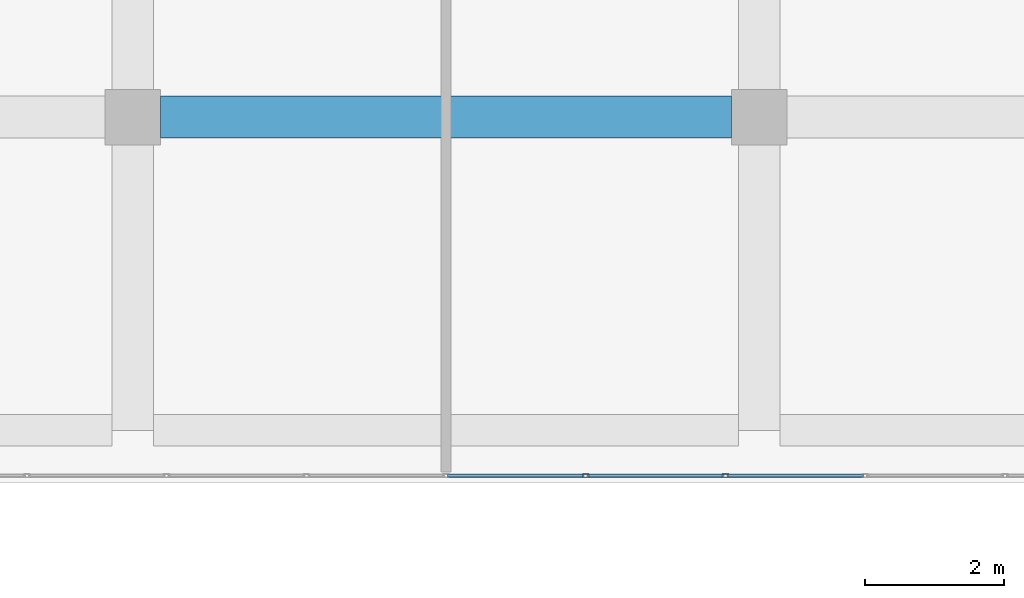
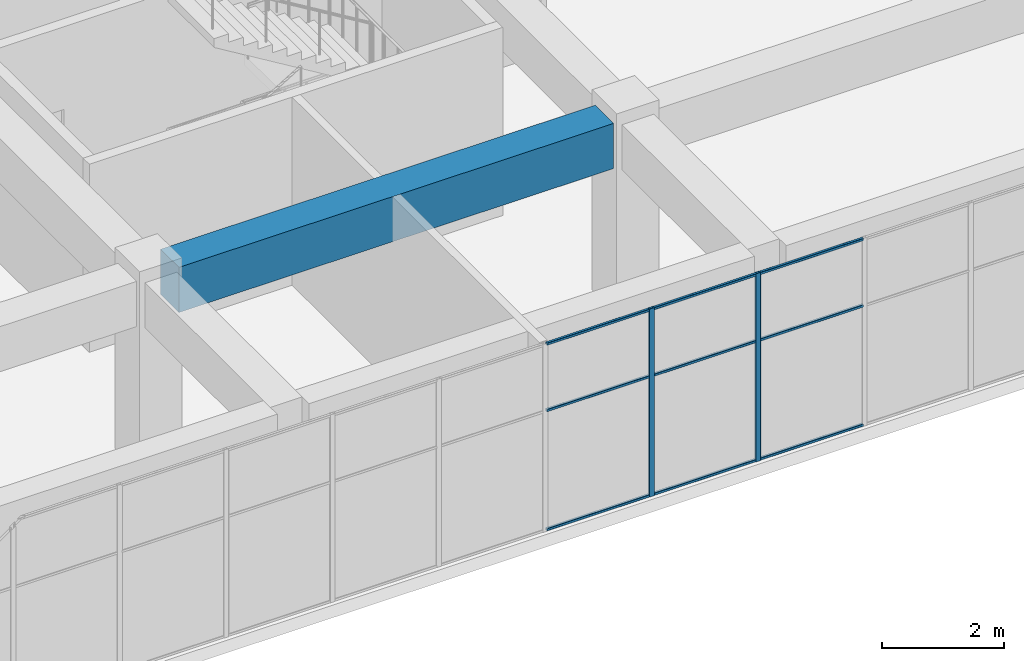
# One storey, part 19 of 65: 11 members, 1 beam, 1 element without a shape of its own.
"""IFC4 building model written with IfcOpenShell, lengths in metres."""

from ifc_helpers import new_model, si_unit, direction, frame, origin, origin_2d, place, context, subcontext, project, spatial, rectangle, hollow_rectangle, extrude, material, layer, layer_set, material_profile, profile_set, type_object, element, aggregate, save


model = new_model("IFC4")

# Units and contexts
model_context = context("Model", 3, precision=1e-05, world=origin(), true_north=direction((0.0, 1.0)))
body_context = subcontext(model_context, "Body", "Model", "MODEL_VIEW")
ifc_project = project(units=[si_unit("LENGTHUNIT", "METRE"), si_unit("AREAUNIT", "SQUARE_METRE"), si_unit("VOLUMEUNIT", "CUBIC_METRE"), si_unit("PLANEANGLEUNIT", "RADIAN"), si_unit("MASSUNIT", "GRAM", prefix="KILO")], contexts=[model_context])

# Site, building, storey
site_placement = place(None, origin())
site = spatial("IfcSite", under=ifc_project, at=site_placement, CompositionType="ELEMENT")
building_placement = place(site_placement, origin())
building = spatial("IfcBuilding", under=site, at=building_placement, Name="Tuart Plaza Theatre", CompositionType="ELEMENT")
storey_placement = place(building_placement, frame((0.0, 0.0, 9.5)))
storey = spatial("IfcBuildingStorey", under=building, at=storey_placement, Name="L02", CompositionType="ELEMENT", Elevation=9.5)

# Beam
ifc_material_1 = material(Name="Concrete N40 (40 MPa)", Category="concrete")
ifc_material_profile_1 = material_profile(ifc_material_1, rectangle(XDim=0.60009765625, YDim=0.89990234375, at=origin_2d()), Name="BEAM 600x900 Concrete N40 (40 MPa)")
ifc_profile_set_1 = profile_set([ifc_material_profile_1], Name="Concrete N40 (40 MPa)")
beam_type = type_object("IfcBeamType", Name="BEAM 600x900 Concrete N40 (40 MPa)", PredefinedType="BEAM", material=ifc_profile_set_1)
beam_placement = place(storey_placement, frame((132.39990234375, 56.0, 3.300048828125), z_axis=(1.0, 0.0, 0.0), x_axis=(0.0, 1.0, 0.0)))
element("IfcBeam", 1, at=beam_placement, inside=storey, type_object=beam_type, Name="RB184", PredefinedType="BEAM", context=body_context, shape_type="SweptSolid", body=[
    extrude(rectangle(XDim=0.60009765625, YDim=0.89990234375, at=origin_2d()), origin(), (0.0, 0.0, 1.0), 8.2001953125),
])

# Curtain wall, members
ifc_material_2 = material(Name="Aluminium and glass", Category="aluminium")
ifc_layer = layer(ifc_material_2, 0.10009765625)
ifc_layer_set = layer_set([ifc_layer], Name="CURTAIN WALL 2000 module")
curtain_wall_type = type_object("IfcCurtainWallType", Name="CURTAIN WALL 2000 module", PredefinedType="NOTDEFINED", material=ifc_layer_set)
curtain_wall_placement = place(storey_placement, origin())
curtain_wall = element("IfcCurtainWall", 2, at=curtain_wall_placement, inside=storey, type_object=curtain_wall_type, Name="CW68", PredefinedType="NOTDEFINED")
ifc_material_3 = material(Name="Aluminium 6063-T5", Category="aluminium")
ifc_material_profile_2 = material_profile(ifc_material_3, hollow_rectangle(XDim=0.050048828125, YDim=0.10009765625, WallThickness=0.00390625, InnerFilletRadius=0.00390625, OuterFilletRadius=0.008056640625, at=origin_2d()), Name="RHS 100x50x4")
ifc_profile_set_2 = profile_set([ifc_material_profile_2], Name="Aluminium 6063-T5")
member_type_1 = type_object("IfcMemberType", Name="MULLION RHS 100x50x4", PredefinedType="MULLION", material=ifc_profile_set_2)
member_1_placement = place(storey_placement, frame((138.507080078125, 50.85009765625, 0.0), z_axis=(0.0, 0.0, 1.0), x_axis=(0.0, 1.0, 0.0)))
member_1 = element("IfcMember", 3, at=member_1_placement, type_object=member_type_1, Name="CW68 mullion 9", PredefinedType="MULLION", context=body_context, shape_type="SweptSolid", body=[
    extrude(hollow_rectangle(XDim=0.050048828125, YDim=0.10009765625, WallThickness=0.00390625, InnerFilletRadius=0.00390625, OuterFilletRadius=0.008056640625, at=origin_2d()), origin(), (0.0, 0.0, 1.0), 3.75),
])
member_2_placement = place(storey_placement, frame((140.514404296875, 50.85009765625, 0.0), z_axis=(0.0, 0.0, 1.0), x_axis=(0.0, 1.0, 0.0)))
member_2 = element("IfcMember", 4, at=member_2_placement, type_object=member_type_1, Name="CW68 mullion 10", PredefinedType="MULLION", context=body_context, shape_type="SweptSolid", body=[
    extrude(hollow_rectangle(XDim=0.050048828125, YDim=0.10009765625, WallThickness=0.00390625, InnerFilletRadius=0.00390625, OuterFilletRadius=0.008056640625, at=origin_2d()), origin(), (0.0, 0.0, 1.0), 3.75),
])
ifc_material_4 = material(Name="Aluminium 6063-T5", Category="aluminium")
ifc_material_profile_3 = material_profile(ifc_material_4, hollow_rectangle(XDim=0.050048828125, YDim=0.050048828125, WallThickness=0.00390625, InnerFilletRadius=0.00390625, OuterFilletRadius=0.008056640625, at=origin_2d()), Name="RHS 50x50x4")
ifc_profile_set_3 = profile_set([ifc_material_profile_3], Name="Aluminium 6063-T5")
member_type_2 = type_object("IfcMemberType", Name="TRANSOM RHS 50x50x4", PredefinedType="USERDEFINED", material=ifc_profile_set_3)
member_3_placement = place(storey_placement, frame((136.52490234375, 50.85009765625, 0.02490234375), z_axis=(1.0, 0.0, 0.0), x_axis=(0.0, 1.0, 0.0)))
member_3 = element("IfcMember", 5, at=member_3_placement, type_object=member_type_2, Name="CW68 transom 8.1", ObjectType="TRANSOM", PredefinedType="USERDEFINED", context=body_context, shape_type="SweptSolid", body=[
    extrude(hollow_rectangle(XDim=0.050048828125, YDim=0.050048828125, WallThickness=0.00390625, InnerFilletRadius=0.00390625, OuterFilletRadius=0.008056640625, at=origin_2d()), origin(), (0.0, 0.0, 1.0), 1.957275390625),
])
member_4_placement = place(storey_placement, frame((136.52490234375, 50.85009765625, 2.39990234375), z_axis=(1.0, 0.0, 0.0), x_axis=(0.0, 1.0, 0.0)))
member_4 = element("IfcMember", 6, at=member_4_placement, type_object=member_type_2, Name="CW68 transom 8.2", ObjectType="TRANSOM", PredefinedType="USERDEFINED", context=body_context, shape_type="SweptSolid", body=[
    extrude(hollow_rectangle(XDim=0.050048828125, YDim=0.050048828125, WallThickness=0.00390625, InnerFilletRadius=0.00390625, OuterFilletRadius=0.008056640625, at=origin_2d()), origin(), (0.0, 0.0, 1.0), 1.957275390625),
])
member_5_placement = place(storey_placement, frame((136.52490234375, 50.85009765625, 3.72509765625), z_axis=(1.0, 0.0, 0.0), x_axis=(0.0, 1.0, 0.0)))
member_5 = element("IfcMember", 7, at=member_5_placement, type_object=member_type_2, Name="CW68 transom 8.3", ObjectType="TRANSOM", PredefinedType="USERDEFINED", context=body_context, shape_type="SweptSolid", body=[
    extrude(hollow_rectangle(XDim=0.050048828125, YDim=0.050048828125, WallThickness=0.00390625, InnerFilletRadius=0.00390625, OuterFilletRadius=0.008056640625, at=origin_2d()), origin(), (0.0, 0.0, 1.0), 1.957275390625),
])
member_6_placement = place(storey_placement, frame((138.5322265625, 50.85009765625, 0.02490234375), z_axis=(1.0, 0.0, 0.0), x_axis=(0.0, 1.0, 0.0)))
member_6 = element("IfcMember", 8, at=member_6_placement, type_object=member_type_2, Name="CW68 transom 9.1", ObjectType="TRANSOM", PredefinedType="USERDEFINED", context=body_context, shape_type="SweptSolid", body=[
    extrude(hollow_rectangle(XDim=0.050048828125, YDim=0.050048828125, WallThickness=0.00390625, InnerFilletRadius=0.00390625, OuterFilletRadius=0.008056640625, at=origin_2d()), origin(), (0.0, 0.0, 1.0), 1.95703125),
])
member_7_placement = place(storey_placement, frame((138.5322265625, 50.85009765625, 2.39990234375), z_axis=(1.0, 0.0, 0.0), x_axis=(0.0, 1.0, 0.0)))
member_7 = element("IfcMember", 9, at=member_7_placement, type_object=member_type_2, Name="CW68 transom 9.2", ObjectType="TRANSOM", PredefinedType="USERDEFINED", context=body_context, shape_type="SweptSolid", body=[
    extrude(hollow_rectangle(XDim=0.050048828125, YDim=0.050048828125, WallThickness=0.00390625, InnerFilletRadius=0.00390625, OuterFilletRadius=0.008056640625, at=origin_2d()), origin(), (0.0, 0.0, 1.0), 1.95703125),
])
member_8_placement = place(storey_placement, frame((138.5322265625, 50.85009765625, 3.72509765625), z_axis=(1.0, 0.0, 0.0), x_axis=(0.0, 1.0, 0.0)))
member_8 = element("IfcMember", 10, at=member_8_placement, type_object=member_type_2, Name="CW68 transom 9.3", ObjectType="TRANSOM", PredefinedType="USERDEFINED", context=body_context, shape_type="SweptSolid", body=[
    extrude(hollow_rectangle(XDim=0.050048828125, YDim=0.050048828125, WallThickness=0.00390625, InnerFilletRadius=0.00390625, OuterFilletRadius=0.008056640625, at=origin_2d()), origin(), (0.0, 0.0, 1.0), 1.95703125),
])
member_9_placement = place(storey_placement, frame((140.539306640625, 50.85009765625, 0.02490234375), z_axis=(1.0, 0.0, 0.0), x_axis=(0.0, 1.0, 0.0)))
member_9 = element("IfcMember", 11, at=member_9_placement, type_object=member_type_2, Name="CW68 transom 10.1", ObjectType="TRANSOM", PredefinedType="USERDEFINED", context=body_context, shape_type="SweptSolid", body=[
    extrude(hollow_rectangle(XDim=0.050048828125, YDim=0.050048828125, WallThickness=0.00390625, InnerFilletRadius=0.00390625, OuterFilletRadius=0.008056640625, at=origin_2d()), origin(), (0.0, 0.0, 1.0), 1.95703125),
])
member_10_placement = place(storey_placement, frame((140.539306640625, 50.85009765625, 2.39990234375), z_axis=(1.0, 0.0, 0.0), x_axis=(0.0, 1.0, 0.0)))
member_10 = element("IfcMember", 12, at=member_10_placement, type_object=member_type_2, Name="CW68 transom 10.2", ObjectType="TRANSOM", PredefinedType="USERDEFINED", context=body_context, shape_type="SweptSolid", body=[
    extrude(hollow_rectangle(XDim=0.050048828125, YDim=0.050048828125, WallThickness=0.00390625, InnerFilletRadius=0.00390625, OuterFilletRadius=0.008056640625, at=origin_2d()), origin(), (0.0, 0.0, 1.0), 1.95703125),
])
member_11_placement = place(storey_placement, frame((140.539306640625, 50.85009765625, 3.72509765625), z_axis=(1.0, 0.0, 0.0), x_axis=(0.0, 1.0, 0.0)))
member_11 = element("IfcMember", 13, at=member_11_placement, type_object=member_type_2, Name="CW68 transom 10.3", ObjectType="TRANSOM", PredefinedType="USERDEFINED", context=body_context, shape_type="SweptSolid", body=[
    extrude(hollow_rectangle(XDim=0.050048828125, YDim=0.050048828125, WallThickness=0.00390625, InnerFilletRadius=0.00390625, OuterFilletRadius=0.008056640625, at=origin_2d()), origin(), (0.0, 0.0, 1.0), 1.95703125),
])
aggregate(curtain_wall, [member_1, member_2, member_3, member_4, member_5, member_6, member_7, member_8, member_9, member_10, member_11])

save(model, "model.ifc")
